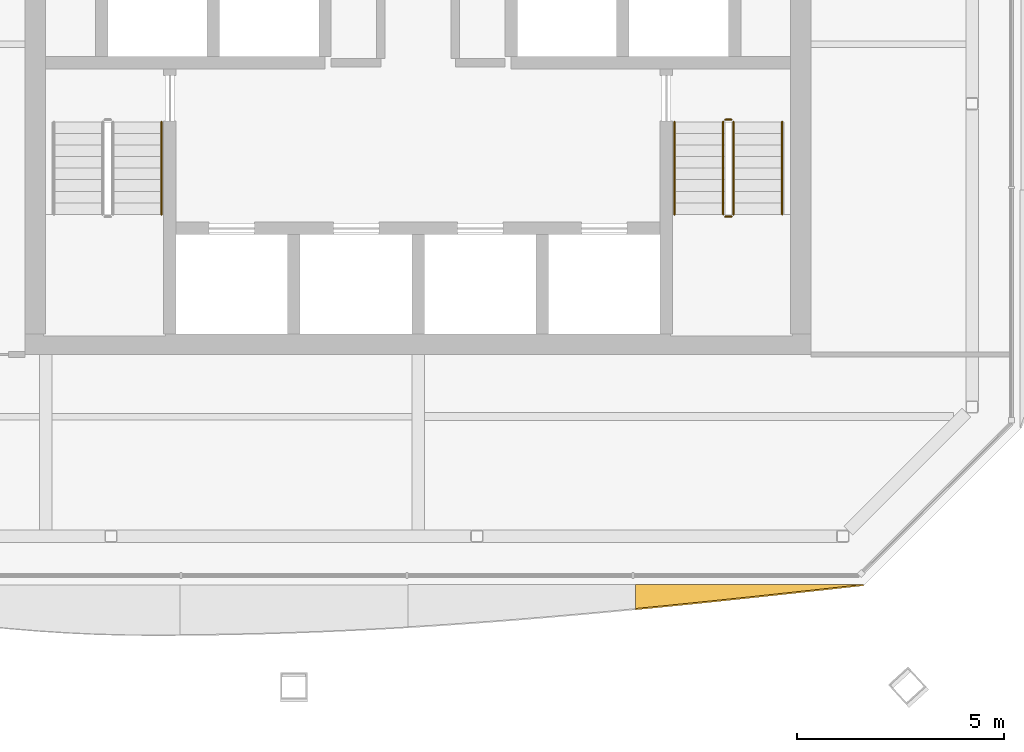
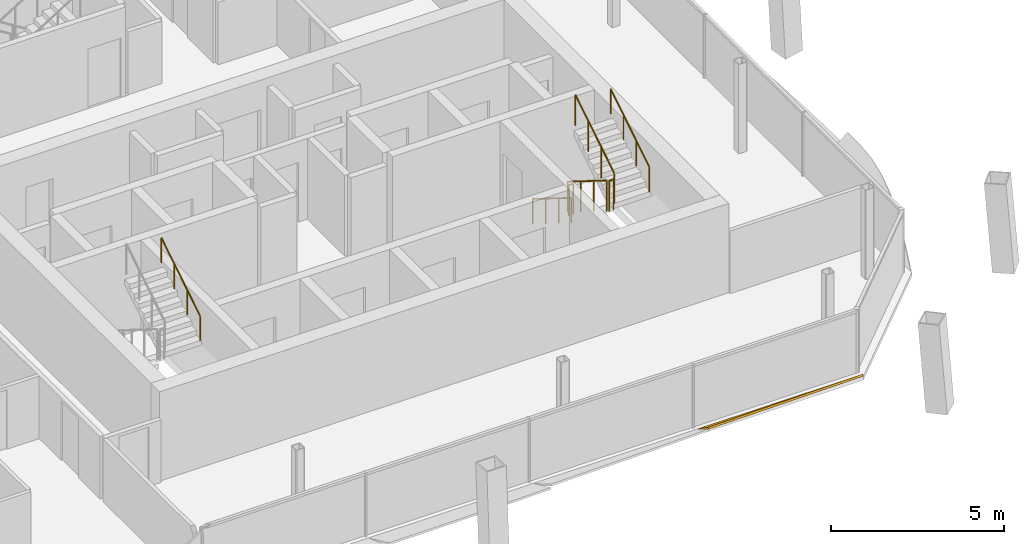
# One storey, part 14 of 16: 7 railings, 1 shading device.
"""IFC4 building model written with IfcOpenShell, lengths in metres."""

from ifc_helpers import new_model, si_unit, direction, frame, origin, origin_2d, place, context, subcontext, project, spatial, polyline, circle, outline, extrude, material, layer, layer_set, type_object, element, save


model = new_model("IFC4")

# Units and contexts
model_context = context("Model", 3, precision=1e-05, world=origin(), true_north=direction((0.0, 1.0)))
body_context = subcontext(model_context, "Body", "Model", "MODEL_VIEW")
ifc_project = project(units=[si_unit("LENGTHUNIT", "METRE"), si_unit("AREAUNIT", "SQUARE_METRE"), si_unit("VOLUMEUNIT", "CUBIC_METRE"), si_unit("PLANEANGLEUNIT", "RADIAN"), si_unit("MASSUNIT", "GRAM", prefix="KILO")], contexts=[model_context])

# Site, building, storey
site_placement = place(None, origin())
site = spatial("IfcSite", under=ifc_project, at=site_placement, CompositionType="ELEMENT")
building_placement = place(site_placement, origin())
building = spatial("IfcBuilding", under=site, at=building_placement, Name="Tskaro Facet Tower", CompositionType="ELEMENT")
storey_placement = place(building_placement, frame((0.0, 0.0, 251.85009765625)))
storey = spatial("IfcBuildingStorey", under=building, at=storey_placement, Name="L66", CompositionType="ELEMENT", Elevation=251.85009765625)

# Shading device
ifc_material_1 = material(Name="Bronze anodised aluminium 6063-T6", Category="aluminium")
ifc_layer = layer(ifc_material_1, 0.06005859375, Name="Bronze anodised aluminium 6063-T6")
ifc_layer_set = layer_set([ifc_layer], Name="Bronze anodised aluminium 6063-T6")
shading_device_type = type_object("IfcShadingDeviceType", Name="Bronze sun blade (FN1)", PredefinedType="USERDEFINED", material=ifc_layer_set)
shading_device_placement = place(storey_placement, frame((5.259033203125, -17.556640625, 0.049072265625), z_axis=(2.4900577e-05, 0.573600813327, 0.819134974428), x_axis=(0.99999999969, -1.4282991e-05, -2.0396933e-05)))
element("IfcShadingDevice", 1, at=shading_device_placement, inside=storey, type_object=shading_device_type, Name="Fin blade south 5", ObjectType="FIN", PredefinedType="USERDEFINED", context=body_context, shape_type="SweptSolid", body=[
    extrude(outline(polyline([(0.0, 0.0), (5.505859373293077, 0.0), (4.817626952020287, -0.0923835983109958), (4.129394527260438, -0.1845672124973135), (3.441162110465634, -0.2759307406509462), (2.7529296847023152, -0.36635429304475686), (2.0646972664023053, -0.455077728509629), (1.3764648456061637, -0.5423811255677818), (0.6882324218121552, -0.6273844533229618), (-3.4870583699114728e-09, -0.7097476883893812), (0.0, 0.0)])), origin(), (0.0, 0.0, -1.0), 0.06005859375),
])

# Railings
ifc_material_2 = material(Name="Stainless steel", Category="steel")
railing_type_1 = type_object("IfcRailingType", Name="RL-GUARD-1100", PredefinedType="GUARDRAIL", material=ifc_material_2)
railing_1_placement = place(storey_placement, frame((7.375, -6.375, 0.1748046875)))
element("IfcRailing", 2, at=railing_1_placement, inside=storey, type_object=railing_type_1, Name="L66 ST-2 stair guard 1", PredefinedType="GUARDRAIL", context=body_context, shape_type="SweptSolid", body=[
    extrude(circle(Radius=0.02392578125, at=origin_2d()), frame((0.0, 0.0, 1.076171875), z_axis=(0.0, -0.847972341737, 0.530040477369), x_axis=(1.0, 0.0, 0.0)), (0.0, 0.0, 1.0), 2.6416015625),
    extrude(circle(Radius=0.02099609375, at=origin_2d()), origin(), (0.0, 0.0, 1.0), 1.052001953125),
    extrude(circle(Radius=0.02099609375, at=origin_2d()), frame((0.0, -0.74658203125, 0.466796875)), (0.0, 0.0, 1.0), 1.052001953125),
    extrude(circle(Radius=0.02099609375, at=origin_2d()), frame((0.0, -1.493408203125, 0.933349609375)), (0.0, 0.0, 1.0), 1.052001953125),
    extrude(circle(Radius=0.02099609375, at=origin_2d()), frame((0.0, -2.239990234375, 1.400146484375)), (0.0, 0.0, 1.0), 1.052001953125),
])
railing_2_placement = place(storey_placement, frame((7.425048828125, -8.6650390625, 1.574951171875)))
element("IfcRailing", 3, at=railing_2_placement, inside=storey, type_object=railing_type_1, Name="L66 ST-2 stair guard 2", PredefinedType="GUARDRAIL", context=body_context, shape_type="SweptSolid", body=[
    extrude(circle(Radius=0.02392578125, at=origin_2d()), frame((0.0, 0.0, 1.076171875), z_axis=(1.0, 0.0, 0.0), x_axis=(0.0, 1.0, 0.0)), (0.0, 0.0, 1.0), 0.14990234375),
    extrude(circle(Radius=0.02099609375, at=origin_2d()), origin(), (0.0, 0.0, 1.0), 1.052001953125),
    extrude(circle(Radius=0.02099609375, at=origin_2d()), frame((0.14990234375, 0.0, 0.0)), (0.0, 0.0, 1.0), 1.052001953125),
])
railing_3_placement = place(storey_placement, frame((7.625, -8.614990234375, 1.75)))
element("IfcRailing", 4, at=railing_3_placement, inside=storey, type_object=railing_type_1, Name="L66 ST-2 stair guard 3", PredefinedType="GUARDRAIL", context=body_context, shape_type="SweptSolid", body=[
    extrude(circle(Radius=0.02392578125, at=origin_2d()), frame((0.0, 0.0, 1.076171875), z_axis=(0.0, 0.848013881152, 0.529974015752), x_axis=(-1.0, 0.0, 0.0)), (0.0, 0.0, 1.0), 2.641357421875),
    extrude(circle(Radius=0.02099609375, at=origin_2d()), origin(), (0.0, 0.0, 1.0), 1.052001953125),
    extrude(circle(Radius=0.02099609375, at=origin_2d()), frame((0.0, 0.74658203125, 0.466552734375)), (0.0, 0.0, 1.0), 1.052001953125),
    extrude(circle(Radius=0.02099609375, at=origin_2d()), frame((0.0, 1.493408203125, 0.933349609375)), (0.0, 0.0, 1.0), 1.052001953125),
    extrude(circle(Radius=0.02099609375, at=origin_2d()), frame((0.0, 2.239990234375, 1.39990234375)), (0.0, 0.0, 1.0), 1.052001953125),
])
railing_4_placement = place(storey_placement, frame((7.425048828125, -6.324951171875, 0.0)))
element("IfcRailing", 5, at=railing_4_placement, inside=storey, type_object=railing_type_1, Name="L66 ST-2 stair guard 4", PredefinedType="GUARDRAIL", context=body_context, shape_type="SweptSolid", body=[
    extrude(circle(Radius=0.02392578125, at=origin_2d()), frame((0.0, 0.0, 1.076171875), z_axis=(1.0, 0.0, 0.0), x_axis=(0.0, 1.0, 0.0)), (0.0, 0.0, 1.0), 0.14990234375),
    extrude(circle(Radius=0.02099609375, at=origin_2d()), origin(), (0.0, 0.0, 1.0), 1.052001953125),
    extrude(circle(Radius=0.02099609375, at=origin_2d()), frame((0.14990234375, 0.0, 0.0)), (0.0, 0.0, 1.0), 1.052001953125),
])
railing_type_2 = type_object("IfcRailingType", Name="RL-HANDRAIL-900", PredefinedType="HANDRAIL", material=ifc_material_2)
railing_5_placement = place(storey_placement, frame((-6.199951171875, -8.614990234375, 1.75)))
element("IfcRailing", 6, at=railing_5_placement, inside=storey, type_object=railing_type_2, Name="L66 ST-1 stair handrail 2", PredefinedType="HANDRAIL", context=body_context, shape_type="SweptSolid", body=[
    extrude(circle(Radius=0.02392578125, at=origin_2d()), frame((0.0, 0.0, 0.8759765625), z_axis=(0.0, 0.848013881152, 0.529974015752), x_axis=(-1.0, 0.0, 0.0)), (0.0, 0.0, 1.0), 2.641357421875),
    extrude(circle(Radius=0.02099609375, at=origin_2d()), origin(), (0.0, 0.0, 1.0), 0.851806640625),
    extrude(circle(Radius=0.02099609375, at=origin_2d()), frame((0.0, 0.74658203125, 0.466552734375)), (0.0, 0.0, 1.0), 0.851806640625),
    extrude(circle(Radius=0.02099609375, at=origin_2d()), frame((0.0, 1.493408203125, 0.933349609375)), (0.0, 0.0, 1.0), 0.851806640625),
    extrude(circle(Radius=0.02099609375, at=origin_2d()), frame((0.0, 2.239990234375, 1.39990234375)), (0.0, 0.0, 1.0), 0.851806640625),
])
railing_6_placement = place(storey_placement, frame((6.199951171875, -6.375, 0.1748046875)))
element("IfcRailing", 7, at=railing_6_placement, inside=storey, type_object=railing_type_2, Name="L66 ST-2 stair handrail 1", PredefinedType="HANDRAIL", context=body_context, shape_type="SweptSolid", body=[
    extrude(circle(Radius=0.02392578125, at=origin_2d()), frame((0.0, 0.0, 0.8759765625), z_axis=(0.0, -0.847972341737, 0.530040477369), x_axis=(1.0, 0.0, 0.0)), (0.0, 0.0, 1.0), 2.6416015625),
    extrude(circle(Radius=0.02099609375, at=origin_2d()), origin(), (0.0, 0.0, 1.0), 0.851806640625),
    extrude(circle(Radius=0.02099609375, at=origin_2d()), frame((0.0, -0.74658203125, 0.466796875)), (0.0, 0.0, 1.0), 0.851806640625),
    extrude(circle(Radius=0.02099609375, at=origin_2d()), frame((0.0, -1.493408203125, 0.933349609375)), (0.0, 0.0, 1.0), 0.851806640625),
    extrude(circle(Radius=0.02099609375, at=origin_2d()), frame((0.0, -2.239990234375, 1.400146484375)), (0.0, 0.0, 1.0), 0.851806640625),
])
railing_7_placement = place(storey_placement, frame((8.800048828125, -8.614990234375, 1.75)))
element("IfcRailing", 8, at=railing_7_placement, inside=storey, type_object=railing_type_2, Name="L66 ST-2 stair handrail 2", PredefinedType="HANDRAIL", context=body_context, shape_type="SweptSolid", body=[
    extrude(circle(Radius=0.02392578125, at=origin_2d()), frame((0.0, 0.0, 0.8759765625), z_axis=(0.0, 0.848013881152, 0.529974015752), x_axis=(-1.0, 0.0, 0.0)), (0.0, 0.0, 1.0), 2.641357421875),
    extrude(circle(Radius=0.02099609375, at=origin_2d()), origin(), (0.0, 0.0, 1.0), 0.851806640625),
    extrude(circle(Radius=0.02099609375, at=origin_2d()), frame((0.0, 0.74658203125, 0.466552734375)), (0.0, 0.0, 1.0), 0.851806640625),
    extrude(circle(Radius=0.02099609375, at=origin_2d()), frame((0.0, 1.493408203125, 0.933349609375)), (0.0, 0.0, 1.0), 0.851806640625),
    extrude(circle(Radius=0.02099609375, at=origin_2d()), frame((0.0, 2.239990234375, 1.39990234375)), (0.0, 0.0, 1.0), 0.851806640625),
])

save(model, "model.ifc")
